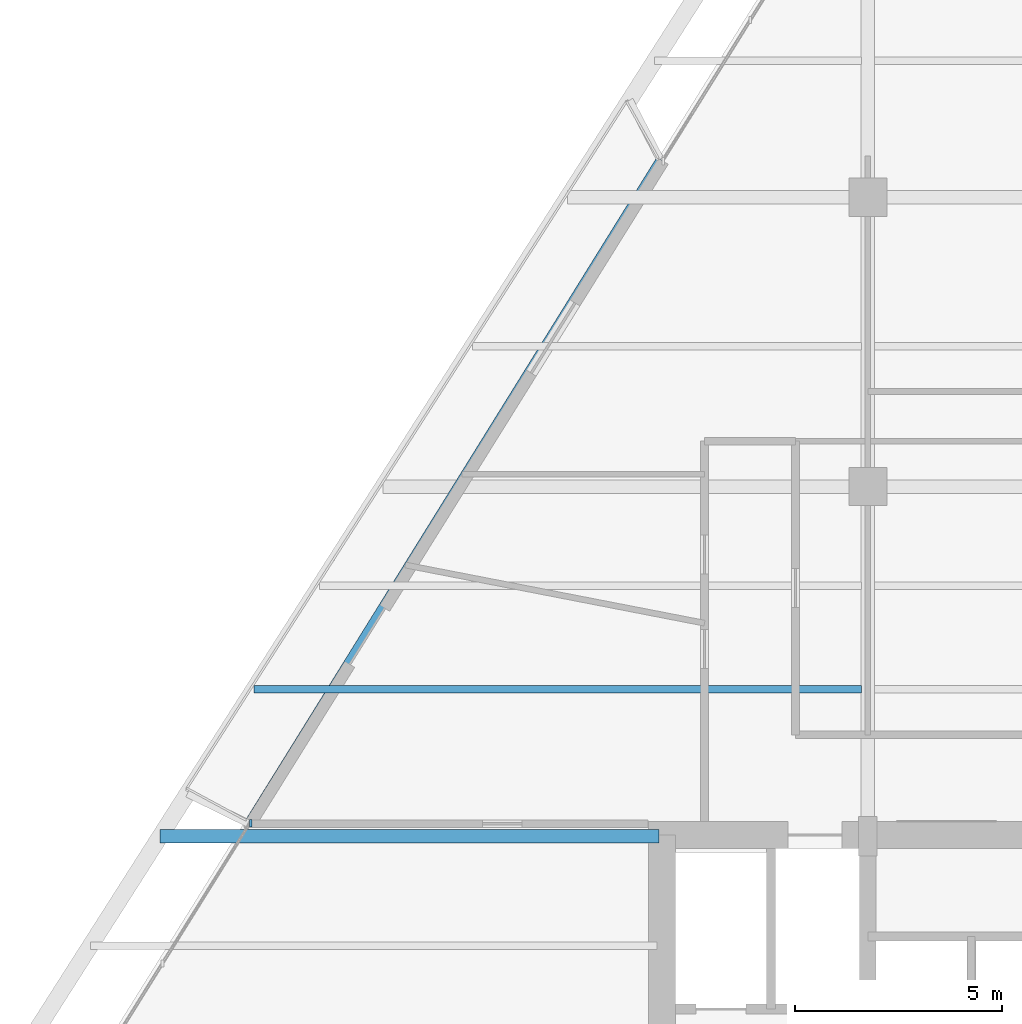
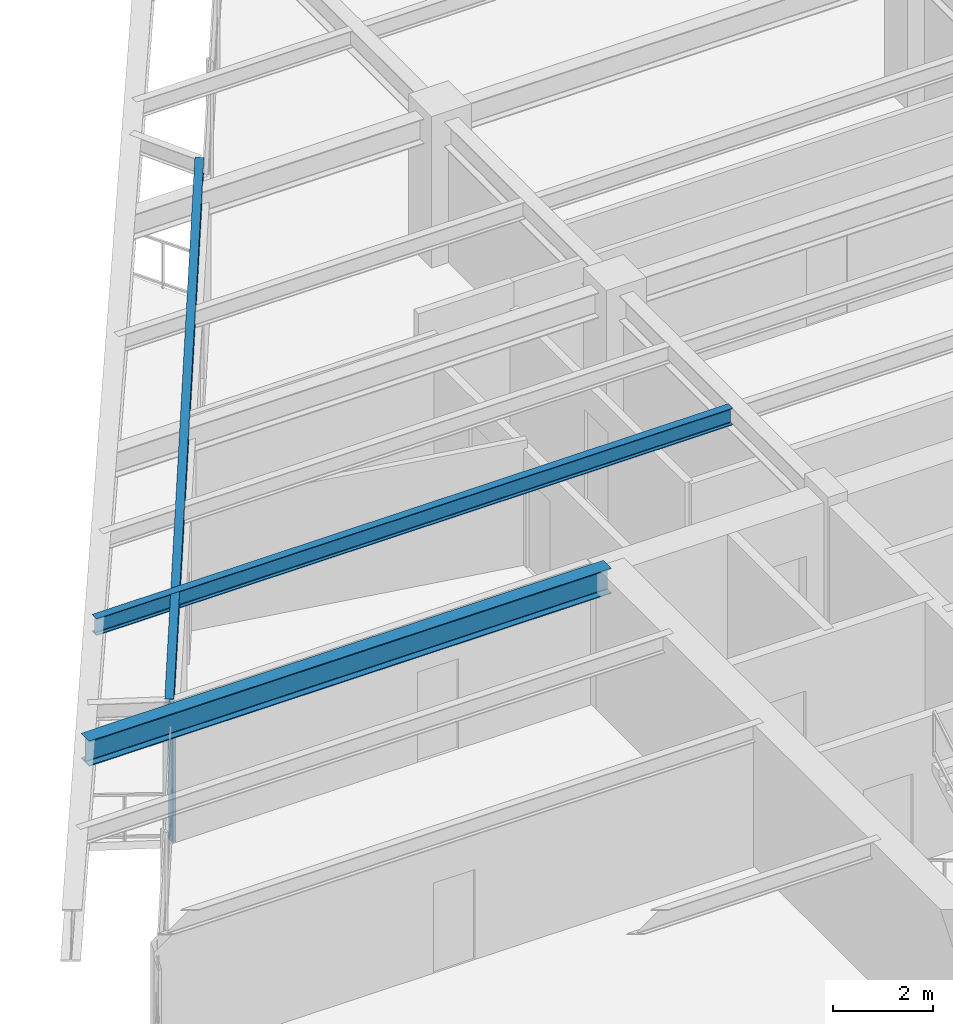
# One storey, part 4 of 15: 3 beams, 1 member, 1 element without a shape of its own.
"""IFC4 building model written with IfcOpenShell, lengths in metres."""

from ifc_helpers import new_model, si_unit, direction, frame, origin, origin_2d, place, context, subcontext, project, spatial, rectangle, i_section, extrude, source, transform, mapped, material, material_profile, profile_set, type_object, type_shapes, element, aggregate, save


model = new_model("IFC4")

# Units and contexts
model_context = context("Model", 3, precision=1e-05, world=origin(), true_north=direction((0.0, 1.0)))
body_context = subcontext(model_context, "Body", "Model", "MODEL_VIEW")
ifc_project = project(units=[si_unit("LENGTHUNIT", "METRE"), si_unit("AREAUNIT", "SQUARE_METRE"), si_unit("VOLUMEUNIT", "CUBIC_METRE"), si_unit("PLANEANGLEUNIT", "RADIAN"), si_unit("MASSUNIT", "GRAM", prefix="KILO")], contexts=[model_context])

# Site, building, storey
site_placement = place(None, origin())
site = spatial("IfcSite", under=ifc_project, at=site_placement, CompositionType="ELEMENT")
building_placement = place(site_placement, origin())
building = spatial("IfcBuilding", under=site, at=building_placement, Name="Varnakhor Terracotta Tower", CompositionType="ELEMENT")
storey_placement = place(building_placement, frame((0.0, 0.0, 182.10009765625)))
storey = spatial("IfcBuildingStorey", under=building, at=storey_placement, Name="L46", CompositionType="ELEMENT", Elevation=182.10009765625)

# Beams
ifc_material_1 = material(Name="Steel S355", Category="steel")
ifc_material_profile_1 = material_profile(ifc_material_1, i_section(OverallWidth=0.179931640625, OverallDepth=0.39990234375, WebThickness=0.008544921875, FlangeThickness=0.013427734375, FilletRadius=0.01806640625, at=origin_2d()), Name="IPE400")
ifc_profile_set_1 = profile_set([ifc_material_profile_1], Name="Steel S355")
beam_type_1 = type_object("IfcBeamType", Name="JST-IPE400", PredefinedType="JOIST", material=ifc_profile_set_1)
shared_shape_1 = source(origin(), body_context, "Body", "SweptSolid", [
    extrude(i_section(OverallWidth=0.179931640625, OverallDepth=0.39990234375, WebThickness=0.008544921875, FlangeThickness=0.013427734375, FilletRadius=0.01806640625, at=origin_2d()), origin(), (0.0, 0.0, 1.0), 18.905029296875),
])
beam_1_placement = place(storey_placement, frame((-10.52197265625, 32.42236328125, 3.27001953125), z_axis=(-0.527368326654, -0.849636774182, 0.0), x_axis=(0.849636774182, -0.527368326654, 0.0)))
element("IfcBeam", 1, at=beam_1_placement, inside=storey, type_object=beam_type_1, Name="L46 Loggia Edge Beam 2", PredefinedType="JOIST", context=body_context, shape_type="MappedRepresentation", body=[
    mapped(shared_shape_1, transform((0.0, 0.0, 0.0), scale=1.0)),
])
ifc_material_profile_2 = material_profile(ifc_material_1, i_section(OverallWidth=0.324951171875, OverallDepth=0.615966796875, WebThickness=0.013916015625, FlangeThickness=0.02197265625, FilletRadius=0.01806640625, at=origin_2d()), Name="W24X117")
ifc_profile_set_2 = profile_set([ifc_material_profile_2], Name="Steel S355")
beam_type_2 = type_object("IfcBeamType", Name="BM-W24X117", PredefinedType="BEAM", material=ifc_profile_set_2)
shared_shape_2 = source(origin(), body_context, "Body", "SweptSolid", [
    extrude(i_section(OverallWidth=0.324951171875, OverallDepth=0.615966796875, WebThickness=0.013916015625, FlangeThickness=0.02197265625, FilletRadius=0.01806640625, at=origin_2d()), origin(), (0.0, 0.0, 1.0), 12.06201171875),
])
beam_2_placement = place(storey_placement, frame((-22.612060546875, 16.050048828125, 3.161865234375), z_axis=(1.0, 0.0, 0.0), x_axis=(0.0, 1.0, 0.0)))
element("IfcBeam", 2, at=beam_2_placement, inside=storey, type_object=beam_type_2, Name="L46 Wing Girder W", PredefinedType="BEAM", context=body_context, shape_type="MappedRepresentation", body=[
    mapped(shared_shape_2, transform((0.0, 0.0, 0.0), scale=1.0)),
])
ifc_material_profile_3 = material_profile(ifc_material_1, i_section(OverallWidth=0.179931640625, OverallDepth=0.4130859375, WebThickness=0.009765625, FlangeThickness=0.01611328125, FilletRadius=0.01806640625, at=origin_2d()), Name="W16X50")
ifc_profile_set_3 = profile_set([ifc_material_profile_3], Name="Steel S355")
beam_type_3 = type_object("IfcBeamType", Name="JST-W16X50", PredefinedType="JOIST", material=ifc_profile_set_3)
shared_shape_3 = source(origin(), body_context, "Body", "SweptSolid", [
    extrude(i_section(OverallWidth=0.179931640625, OverallDepth=0.4130859375, WebThickness=0.009765625, FlangeThickness=0.01611328125, FilletRadius=0.01806640625, at=origin_2d()), origin(), (0.0, 0.0, 1.0), 14.68994140625),
])
beam_3_placement = place(storey_placement, frame((-20.348388671875, 19.60009765625, 3.263427734375), z_axis=(1.0, 0.0, 0.0), x_axis=(0.0, 1.0, 0.0)))
element("IfcBeam", 3, at=beam_3_placement, inside=storey, type_object=beam_type_3, Name="L46 Composite Floor Joist 4-1", PredefinedType="JOIST", context=body_context, shape_type="MappedRepresentation", body=[
    mapped(shared_shape_3, transform((0.0, 0.0, 0.0), scale=1.0)),
])

# Curtain wall, member
ifc_material_2 = material(Name="Anodised Aluminium Curtain Wall System", Category="aluminium")
curtain_wall_type = type_object("IfcCurtainWallType", Name="CW-SYS-MID-OFFICE", PredefinedType="NOTDEFINED", material=ifc_material_2)
curtain_wall_placement = place(storey_placement, origin())
curtain_wall = element("IfcCurtainWall", 4, at=curtain_wall_placement, inside=storey, type_object=curtain_wall_type, Name="L46 W Facet Curtain Wall 1", PredefinedType="NOTDEFINED")
ifc_material_3 = material(Name="Anodised Aluminium 6063-T6", Category="aluminium")
ifc_material_profile_4 = material_profile(ifc_material_3, rectangle(XDim=0.070068359375, YDim=0.175048828125, at=origin_2d()), Name="ALU MULLION 70x175")
ifc_profile_set_4 = profile_set([ifc_material_profile_4], Name="Anodised Aluminium 6063-T6")
member_type = type_object("IfcMemberType", Name="CWM-03", PredefinedType="MULLION", material=ifc_profile_set_4)
shared_shape_4 = source(origin(), body_context, "Body", "SweptSolid", [
    extrude(rectangle(XDim=0.070068359375, YDim=0.175048828125, at=origin_2d()), origin(), (0.0, 0.0, 1.0), 3.0498046875),
])
type_shapes(member_type, [shared_shape_4])
member_placement = place(storey_placement, frame((-20.422607421875, 16.36181640625, 0.0), z_axis=(0.0, 0.0, 1.0), x_axis=(1.0, 0.0, 0.0)))
member = element("IfcMember", 5, at=member_placement, type_object=member_type, Name="L46 W Loggia Jamb Closure Mullion 1", PredefinedType="MULLION", context=body_context, shape_type="MappedRepresentation", body=[
    mapped(shared_shape_4, transform((0.0, 0.0, 0.0), scale=1.0)),
])
aggregate(curtain_wall, [member])

save(model, "model.ifc")
